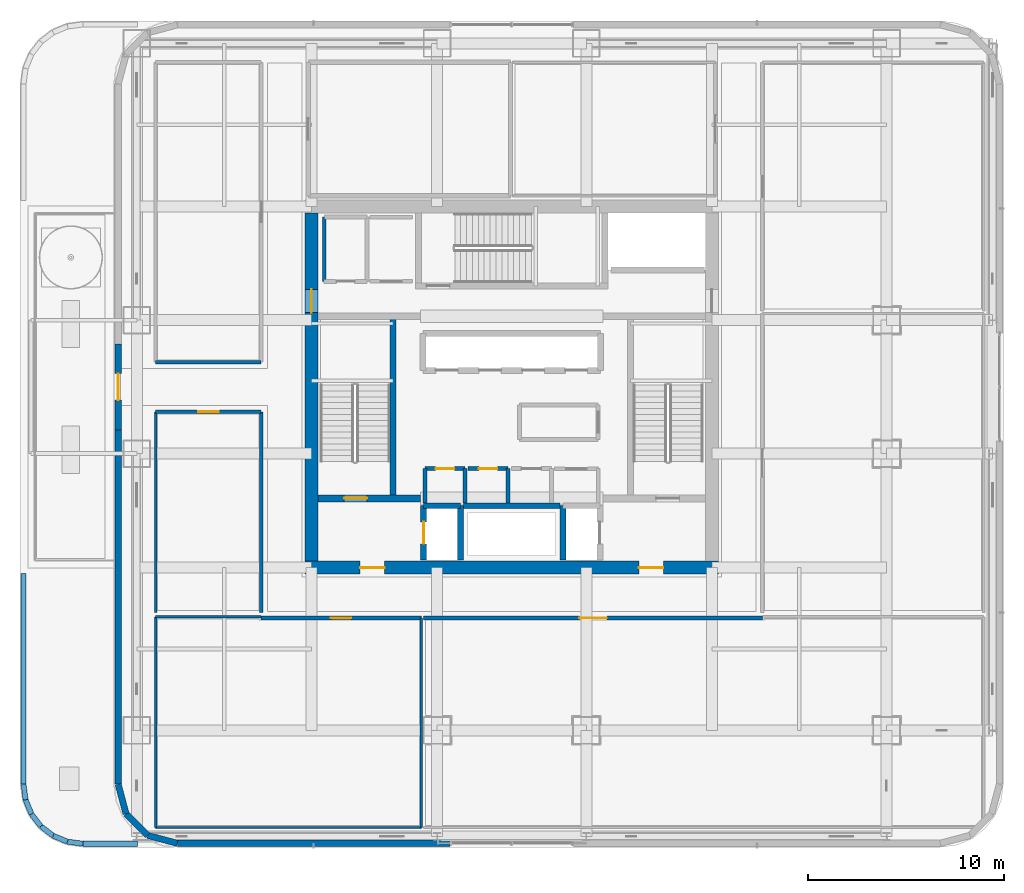
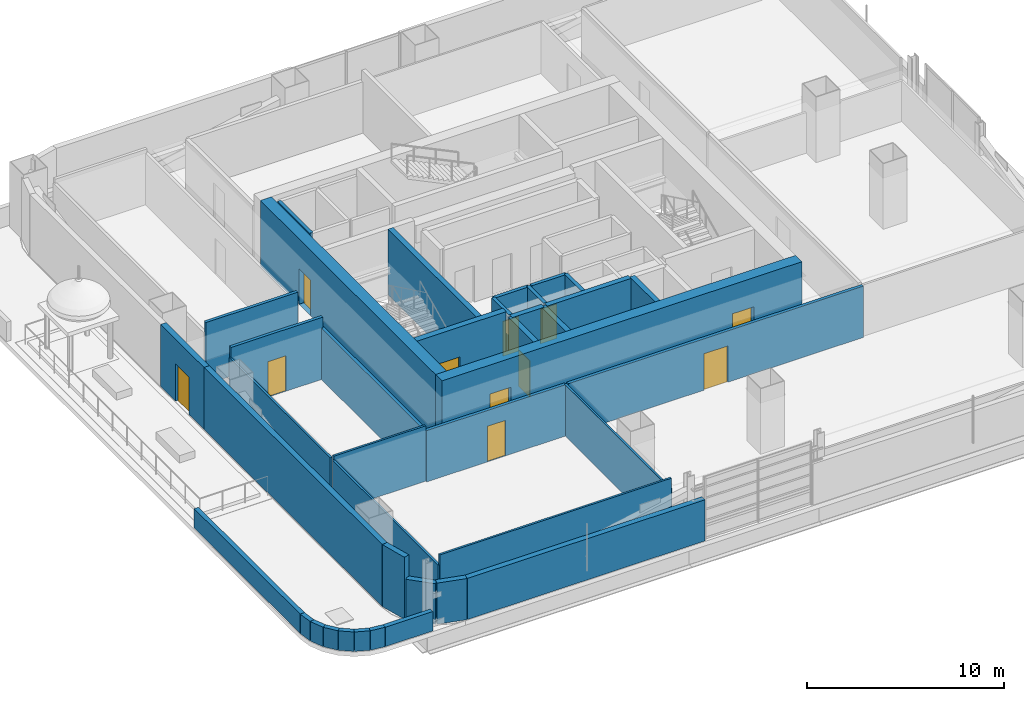
# One storey, part 11 of 27: 39 walls, 11 doors, 11 openings.
"""IFC4 building model written with IfcOpenShell, lengths in metres."""

from ifc_helpers import new_model, si_unit, direction, frame, frame_2d, origin, place, context, subcontext, project, spatial, rectangle, extrude, material, layer, layer_set, type_object, element, fill, save


model = new_model("IFC4")

# Units and contexts
model_context = context("Model", 3, precision=1e-05, world=origin(), true_north=direction((0.0, 1.0)))
body_context = subcontext(model_context, "Body", "Model", "MODEL_VIEW")
ifc_project = project(units=[si_unit("LENGTHUNIT", "METRE"), si_unit("AREAUNIT", "SQUARE_METRE"), si_unit("VOLUMEUNIT", "CUBIC_METRE"), si_unit("PLANEANGLEUNIT", "RADIAN"), si_unit("MASSUNIT", "GRAM", prefix="KILO")], contexts=[model_context])

# Site, building, storey
site_placement = place(None, origin())
site = spatial("IfcSite", under=ifc_project, at=site_placement, CompositionType="ELEMENT")
building_placement = place(site_placement, origin())
building = spatial("IfcBuilding", under=site, at=building_placement, Name="Punatoya Terracotta Tower", CompositionType="ELEMENT")
storey_placement = place(building_placement, frame((0.0, 0.0, 204.60009765625)))
storey = spatial("IfcBuildingStorey", under=building, at=storey_placement, Name="L48", CompositionType="ELEMENT", Elevation=204.60009765625)

# Wall, openings, doors
ifc_material_1 = material(Name="Concrete C60/75", Category="concrete")
ifc_layer_1 = layer(ifc_material_1, 0.64990234375)
ifc_layer_set_1 = layer_set([ifc_layer_1], Name="Concrete C60/75")
wall_type_1 = type_object("IfcWallType", Name="WL-COR-650", PredefinedType="SHEAR", material=ifc_layer_set_1)
wall_1_placement = place(storey_placement, frame((10.52490234375, -9.199951171875, 0.0), z_axis=(0.0, 0.0, 1.0), x_axis=(-1.0, 0.0, 0.0)))
wall_1 = element("IfcWall", 1, at=wall_1_placement, inside=storey, type_object=wall_type_1, Name="L48 Core Shear Wall S", PredefinedType="SHEAR", context=body_context, shape_type="SweptSolid", body=[
    extrude(rectangle(XDim=21.0498046875, YDim=0.64990234375, at=frame_2d((10.52490234375, 0.0))), origin(), (0.0, 0.0, 1.0), 4.0498046875),
])
opening_1_placement = place(wall_1_placement, frame((2.800048828125, 0.0, 0.0)))
opening_1 = element("IfcOpeningElement", 2, at=opening_1_placement, cuts=wall_1, Name="Opening FD-L1", PredefinedType="OPENING", context=body_context, shape_type="SweptSolid", body=[
    extrude(rectangle(XDim=1.25, YDim=2.25, at=frame_2d((0.625, 1.125))), frame((0.0, 0.3349609375, 0.0), z_axis=(0.0, -1.0, 0.0), x_axis=(1.0, 0.0, 0.0)), (0.0, 0.0, 1.0), 0.669921875),
])
opening_2_placement = place(wall_1_placement, frame((17.0, 0.0, 0.0)))
opening_2 = element("IfcOpeningElement", 3, at=opening_2_placement, cuts=wall_1, Name="Opening FD-L1", PredefinedType="OPENING", context=body_context, shape_type="SweptSolid", body=[
    extrude(rectangle(XDim=1.25, YDim=2.25, at=frame_2d((0.625, 1.125))), frame((0.0, 0.3349609375, 0.0), z_axis=(0.0, -1.0, 0.0), x_axis=(1.0, 0.0, 0.0)), (0.0, 0.0, 1.0), 0.669921875),
])
ifc_material_2 = material(Name="Galvanised Steel Smokeproof Fire Door", Category="steel")
door_type_1 = type_object("IfcDoorType", Name="DR-FFL-1250", OperationType="NOTDEFINED", PredefinedType="DOOR", material=ifc_material_2)
door_1_placement = place(opening_1_placement, origin())
door_1 = element("IfcDoor", 4, at=door_1_placement, inside=storey, type_object=door_type_1, Name="L48 East Firefighting Lobby Corridor Fire Door", OperationType="SINGLE_SWING_LEFT", OverallHeight=2.25, OverallWidth=1.25, PredefinedType="DOOR", context=body_context, shape_type="SweptSolid", body=[
    extrude(rectangle(XDim=1.25, YDim=2.25, at=frame_2d((0.625, 1.125))), frame((0.0, 0.02490234375, 0.0), z_axis=(0.0, -1.0, 0.0), x_axis=(1.0, 0.0, 0.0)), (0.0, 0.0, 1.0), 0.050048828125),
])
fill(opening_1, door_1)
door_2_placement = place(opening_2_placement, origin())
door_2 = element("IfcDoor", 5, at=door_2_placement, inside=storey, type_object=door_type_1, Name="L48 West Firefighting Lobby Corridor Fire Door", OperationType="SINGLE_SWING_RIGHT", OverallHeight=2.25, OverallWidth=1.25, PredefinedType="DOOR", context=body_context, shape_type="SweptSolid", body=[
    extrude(rectangle(XDim=1.25, YDim=2.25, at=frame_2d((0.625, 1.125))), frame((0.0, 0.02490234375, 0.0), z_axis=(0.0, -1.0, 0.0), x_axis=(1.0, 0.0, 0.0)), (0.0, 0.0, 1.0), 0.050048828125),
])
fill(opening_2, door_2)

# Wall, opening, door
wall_2_placement = place(storey_placement, frame((-10.199951171875, -8.875, 0.0), z_axis=(0.0, 0.0, 1.0), x_axis=(0.0, 1.0, 0.0)))
wall_2 = element("IfcWall", 6, at=wall_2_placement, inside=storey, type_object=wall_type_1, Name="L48 Core Shear Wall W", PredefinedType="SHEAR", context=body_context, shape_type="SweptSolid", body=[
    extrude(rectangle(XDim=17.75, YDim=0.64990234375, at=frame_2d((8.875, 0.0))), origin(), (0.0, 0.0, 1.0), 4.0498046875),
])
opening_3_placement = place(wall_2_placement, frame((12.6650390625, 0.0, 0.0)))
opening_3 = element("IfcOpeningElement", 7, at=opening_3_placement, cuts=wall_2, Name="Opening SD-01", PredefinedType="OPENING", context=body_context, shape_type="SweptSolid", body=[
    extrude(rectangle(XDim=1.179931640625, YDim=2.199951171875, at=frame_2d((0.58984375, 1.10009765625))), frame((0.0, 0.3349609375, 0.0), z_axis=(0.0, -1.0, 0.0), x_axis=(1.0, 0.0, 0.0)), (0.0, 0.0, 1.0), 0.669921875),
])
ifc_material_3 = material(Name="Galvanised Steel Pressurized Stair Fire Door", Category="steel")
door_type_2 = type_object("IfcDoorType", Name="DR-STR-1180", OperationType="NOTDEFINED", PredefinedType="DOOR", material=ifc_material_3)
door_3_placement = place(opening_3_placement, origin())
door_3 = element("IfcDoor", 8, at=door_3_placement, inside=storey, type_object=door_type_2, Name="L48 Central Lift Lobby West Fire Door", OperationType="SINGLE_SWING_LEFT", OverallHeight=2.199951171875, OverallWidth=1.179931640625, PredefinedType="DOOR", context=body_context, shape_type="SweptSolid", body=[
    extrude(rectangle(XDim=1.179931640625, YDim=2.199951171875, at=frame_2d((0.58984375, 1.10009765625))), frame((0.0, 0.02490234375, 0.0), z_axis=(0.0, -1.0, 0.0), x_axis=(1.0, 0.0, 0.0)), (0.0, 0.0, 1.0), 0.050048828125),
])
fill(opening_3, door_3)

ifc_material_4 = material(Name="Gypsum Fireboard + Steel Stud", Category="steel")
ifc_layer_2 = layer(ifc_material_4, 0.179931640625)
ifc_layer_set_2 = layer_set([ifc_layer_2], Name="Gypsum Fireboard + Steel Stud")
wall_type_2 = type_object("IfcWallType", Name="WL-CORR-180", PredefinedType="PARTITIONING", material=ifc_layer_set_2)
wall_3_placement = place(storey_placement, frame((-12.77001953125, -11.77001953125, 0.0), z_axis=(0.0, 0.0, 1.0), x_axis=(1.0, 0.0, 0.0)))
wall_3 = element("IfcWall", 9, at=wall_3_placement, inside=storey, type_object=wall_type_2, Name="L48 Client Media Salon Partition 22", PredefinedType="PARTITIONING", context=body_context, shape_type="SweptSolid", body=[
    extrude(rectangle(XDim=8.1650390625, YDim=0.179931640625, at=frame_2d((4.08251953125, 0.0))), origin(), (0.0, 0.0, 1.0), 3.173828125),
])
opening_4_placement = place(wall_3_placement, frame((3.5576171875, 0.0, 0.0)))
opening_4 = element("IfcOpeningElement", 10, at=opening_4_placement, cuts=wall_3, Name="Opening OD-01", PredefinedType="OPENING", context=body_context, shape_type="SweptSolid", body=[
    extrude(rectangle(XDim=1.050048828125, YDim=2.199951171875, at=frame_2d((0.52490234375, 1.10009765625))), frame((0.0, 0.099853515625, 0.0), z_axis=(0.0, -1.0, 0.0), x_axis=(1.0, 0.0, 0.0)), (0.0, 0.0, 1.0), 0.199951171875),
])
ifc_material_5 = material(Name="Bengal Teak Solid-Core Leaf")
door_type_3 = type_object("IfcDoorType", Name="DR-OFF-1050", OperationType="NOTDEFINED", PredefinedType="DOOR", material=ifc_material_5)
door_4_placement = place(opening_4_placement, origin())
door_4 = element("IfcDoor", 11, at=door_4_placement, inside=storey, type_object=door_type_3, Name="L48 Client Media Salon Door", OperationType="SINGLE_SWING_LEFT", OverallHeight=2.199951171875, OverallWidth=1.050048828125, PredefinedType="DOOR", context=body_context, shape_type="SweptSolid", body=[
    extrude(rectangle(XDim=1.050048828125, YDim=2.199951171875, at=frame_2d((0.52490234375, 1.10009765625))), frame((0.0, 0.02490234375, 0.0), z_axis=(0.0, -1.0, 0.0), x_axis=(1.0, 0.0, 0.0)), (0.0, 0.0, 1.0), 0.050048828125),
])
fill(opening_4, door_4)

wall_4_placement = place(storey_placement, frame((-4.485107421875, -11.77001953125, 0.0), z_axis=(0.0, 0.0, 1.0), x_axis=(1.0, 0.0, 0.0)))
wall_4 = element("IfcWall", 12, at=wall_4_placement, inside=storey, type_object=wall_type_2, Name="L48 Media Broadcast Studio Partition 25", PredefinedType="PARTITIONING", context=body_context, shape_type="SweptSolid", body=[
    extrude(rectangle(XDim=17.255126953125, YDim=0.179931640625, at=frame_2d((8.62744140625, 0.0))), origin(), (0.0, 0.0, 1.0), 3.173828125),
])
opening_5_placement = place(wall_4_placement, frame((7.927490234375, 0.0, 0.0)))
opening_5 = element("IfcOpeningElement", 13, at=opening_5_placement, cuts=wall_4, Name="Opening BD-01", PredefinedType="OPENING", context=body_context, shape_type="SweptSolid", body=[
    extrude(rectangle(XDim=1.39990234375, YDim=2.25, at=frame_2d((0.699951171875, 1.125))), frame((0.0, 0.099853515625, 0.0), z_axis=(0.0, -1.0, 0.0), x_axis=(1.0, 0.0, 0.0)), (0.0, 0.0, 1.0), 0.199951171875),
])
ifc_material_6 = material(Name="Bengal Teak Acoustic Leaf")
door_type_4 = type_object("IfcDoorType", Name="DR-BRD-1400", OperationType="NOTDEFINED", PredefinedType="DOOR", material=ifc_material_6)
door_5_placement = place(opening_5_placement, origin())
door_5 = element("IfcDoor", 14, at=door_5_placement, inside=storey, type_object=door_type_4, Name="L48 Media Broadcast Studio Door", OperationType="SINGLE_SWING_RIGHT", OverallHeight=2.25, OverallWidth=1.39990234375, PredefinedType="DOOR", context=body_context, shape_type="SweptSolid", body=[
    extrude(rectangle(XDim=1.39990234375, YDim=2.25, at=frame_2d((0.699951171875, 1.125))), frame((0.0, 0.02490234375, 0.0), z_axis=(0.0, -1.0, 0.0), x_axis=(1.0, 0.0, 0.0)), (0.0, 0.0, 1.0), 0.050048828125),
])
fill(opening_5, door_5)

wall_5_placement = place(storey_placement, frame((-18.139892578125, -1.27001953125, 0.0), z_axis=(0.0, 0.0, 1.0), x_axis=(1.0, 0.0, 0.0)))
wall_5 = element("IfcWall", 15, at=wall_5_placement, inside=storey, type_object=wall_type_2, Name="L48 Graphic Design Workplace Partition 29", PredefinedType="PARTITIONING", context=body_context, shape_type="SweptSolid", body=[
    extrude(rectangle(XDim=5.369873046875, YDim=0.179931640625, at=frame_2d((2.68505859375, 0.0))), origin(), (0.0, 0.0, 1.0), 3.829833984375),
])
opening_6_placement = place(wall_5_placement, frame((2.159912109375, 0.0, 0.0)))
opening_6 = element("IfcOpeningElement", 16, at=opening_6_placement, cuts=wall_5, Name="Opening OD-01", PredefinedType="OPENING", context=body_context, shape_type="SweptSolid", body=[
    extrude(rectangle(XDim=1.050048828125, YDim=2.199951171875, at=frame_2d((0.52490234375, 1.10009765625))), frame((0.0, 0.099853515625, 0.0), z_axis=(0.0, -1.0, 0.0), x_axis=(1.0, 0.0, 0.0)), (0.0, 0.0, 1.0), 0.199951171875),
])
door_6_placement = place(opening_6_placement, origin())
door_6 = element("IfcDoor", 17, at=door_6_placement, inside=storey, type_object=door_type_3, Name="L48 Graphic Design Workplace Door", OperationType="SINGLE_SWING_LEFT", OverallHeight=2.199951171875, OverallWidth=1.050048828125, PredefinedType="DOOR", context=body_context, shape_type="SweptSolid", body=[
    extrude(rectangle(XDim=1.050048828125, YDim=2.199951171875, at=frame_2d((0.52490234375, 1.10009765625))), frame((0.0, 0.02490234375, 0.0), z_axis=(0.0, -1.0, 0.0), x_axis=(1.0, 0.0, 0.0)), (0.0, 0.0, 1.0), 0.050048828125),
])
fill(opening_6, door_6)

# Walls
wall_6_placement = place(storey_placement, frame((-12.77001953125, -1.27001953125, 0.0), z_axis=(0.0, 0.0, 1.0), x_axis=(0.0, -1.0, 0.0)))
element("IfcWall", 18, at=wall_6_placement, inside=storey, type_object=wall_type_2, Name="L48 Graphic Design Workplace Partition 30", PredefinedType="PARTITIONING", context=body_context, shape_type="SweptSolid", body=[
    extrude(rectangle(XDim=10.219970703125, YDim=0.179931640625, at=frame_2d((5.10986328125, 0.0))), origin(), (0.0, 0.0, 1.0), 3.173828125),
])
wall_7_placement = place(storey_placement, frame((-12.77001953125, 1.27001953125, 0.0), z_axis=(0.0, 0.0, 1.0), x_axis=(-1.0, 0.0, 0.0)))
element("IfcWall", 19, at=wall_7_placement, inside=storey, type_object=wall_type_2, Name="L48 Hospitality Tea Pantry Partition 36", PredefinedType="PARTITIONING", context=body_context, shape_type="SweptSolid", body=[
    extrude(rectangle(XDim=5.369873046875, YDim=0.179931640625, at=frame_2d((2.68505859375, 0.0))), origin(), (0.0, 0.0, 1.0), 3.829833984375),
])
ifc_material_7 = material(Name="Precast concrete C40/50", Category="concrete")
ifc_layer_3 = layer(ifc_material_7, 0.320068359375)
ifc_layer_set_3 = layer_set([ifc_layer_3], Name="Precast concrete C40/50")
wall_type_3 = type_object("IfcWallType", Name="WL-EXT-320", PredefinedType="SOLIDWALL", material=ifc_layer_set_3)
wall_8_placement = place(storey_placement, frame((-17.036865234375, -23.25, 0.0), z_axis=(0.0, 0.0, 1.0), x_axis=(1.0, 0.0, 0.0)))
element("IfcWall", 20, at=wall_8_placement, inside=storey, type_object=wall_type_3, Name="L48 Terracotta Braced Facade Wall S1", PredefinedType="SOLIDWALL", context=body_context, shape_type="SweptSolid", body=[
    extrude(rectangle(XDim=13.886962890625, YDim=0.320068359375, at=frame_2d((6.943359375, 0.0))), origin(), (0.0, 0.0, 1.0), 2.5439453125),
])
wall_9_placement = place(storey_placement, frame((-20.050048828125, -2.199951171875, 0.0), z_axis=(0.0, 0.0, 1.0), x_axis=(0.0, -1.0, 0.0)))
element("IfcWall", 21, at=wall_9_placement, inside=storey, type_object=wall_type_3, Name="L48 Terracotta Braced Facade Wall W", PredefinedType="SOLIDWALL", context=body_context, shape_type="SweptSolid", body=[
    extrude(rectangle(XDim=18.036865234375, YDim=0.320068359375, at=frame_2d((9.0185546875, 0.0))), origin(), (0.0, 0.0, 1.0), 3.829833984375),
])

# Wall, opening, door
wall_10_placement = place(storey_placement, frame((-20.050048828125, 2.199951171875, 0.0), z_axis=(0.0, 0.0, 1.0), x_axis=(0.0, -1.0, 0.0)))
wall_10 = element("IfcWall", 22, at=wall_10_placement, inside=storey, type_object=wall_type_3, Name="L48 Sky-Terrace Portal Wall W", PredefinedType="SOLIDWALL", context=body_context, shape_type="SweptSolid", body=[
    extrude(rectangle(XDim=4.39990234375, YDim=0.320068359375, at=frame_2d((2.199951171875, 0.0))), origin(), (0.0, 0.0, 1.0), 3.829833984375),
])
opening_7_placement = place(wall_10_placement, frame((1.52490234375, 0.0, 0.0)))
opening_7 = element("IfcOpeningElement", 23, at=opening_7_placement, cuts=wall_10, Name="Opening TD-02", PredefinedType="OPENING", context=body_context, shape_type="SweptSolid", body=[
    extrude(rectangle(XDim=1.35009765625, YDim=2.300048828125, at=frame_2d((0.675048828125, 1.14990234375))), frame((0.0, 0.169921875, 0.0), z_axis=(0.0, -1.0, 0.0), x_axis=(1.0, 0.0, 0.0)), (0.0, 0.0, 1.0), 0.340087890625),
])
ifc_material_8 = material(Name="Aluminium 6063-T6 + Low-E Glass", Category="aluminium")
door_type_5 = type_object("IfcDoorType", Name="DR-TER-1350", OperationType="NOTDEFINED", PredefinedType="DOOR", material=ifc_material_8)
door_7_placement = place(opening_7_placement, origin())
door_7 = element("IfcDoor", 24, at=door_7_placement, inside=storey, type_object=door_type_5, Name="L48 Sky-Terrace Access Door W1", OperationType="SINGLE_SWING_RIGHT", OverallHeight=2.300048828125, OverallWidth=1.35009765625, PredefinedType="DOOR", context=body_context, shape_type="SweptSolid", body=[
    extrude(rectangle(XDim=1.35009765625, YDim=2.300048828125, at=frame_2d((0.675048828125, 1.14990234375))), frame((0.0, 0.02490234375, 0.0), z_axis=(0.0, -1.0, 0.0), x_axis=(1.0, 0.0, 0.0)), (0.0, 0.0, 1.0), 0.050048828125),
])
fill(opening_7, door_7)

# Walls
wall_11_placement = place(storey_placement, frame((-20.050048828125, -20.23681640625, 0.0), z_axis=(0.0, 0.0, 1.0), x_axis=(0.257847112249, -0.966185730957, 0.0)))
element("IfcWall", 25, at=wall_11_placement, inside=storey, type_object=wall_type_3, Name="L48 Rounded Terracotta Corner Pier 14", PredefinedType="SOLIDWALL", context=body_context, shape_type="SweptSolid", body=[
    extrude(rectangle(XDim=1.565185546875, YDim=0.320068359375, at=frame_2d((0.78271484375, 0.0))), origin(), (0.0, 0.0, 1.0), 3.829833984375),
])
wall_12_placement = place(storey_placement, frame((-19.646484375, -21.7490234375, 0.0), z_axis=(0.0, 0.0, 1.0), x_axis=(0.707028130747, -0.707185422879, 0.0)))
element("IfcWall", 26, at=wall_12_placement, inside=storey, type_object=wall_type_3, Name="L48 Rounded Terracotta Corner Pier 15", PredefinedType="SOLIDWALL", context=body_context, shape_type="SweptSolid", body=[
    extrude(rectangle(XDim=1.55224609375, YDim=0.320068359375, at=frame_2d((0.776123046875, 0.0))), origin(), (0.0, 0.0, 1.0), 2.50390625),
])
wall_13_placement = place(storey_placement, frame((-18.549072265625, -22.8466796875, 0.0), z_axis=(0.0, 0.0, 1.0), x_axis=(0.966224582397, -0.257701486942, 0.0)))
element("IfcWall", 27, at=wall_13_placement, inside=storey, type_object=wall_type_3, Name="L48 Rounded Terracotta Corner Pier 16", PredefinedType="SOLIDWALL", context=body_context, shape_type="SweptSolid", body=[
    extrude(rectangle(XDim=1.565185546875, YDim=0.320068359375, at=frame_2d((0.78271484375, 0.0))), origin(), (0.0, 0.0, 1.0), 2.5439453125),
])
ifc_material_9 = material(Name="Concrete C40/50", Category="concrete")
ifc_layer_4 = layer(ifc_material_9, 0.199951171875)
ifc_layer_set_4 = layer_set([ifc_layer_4], Name="Concrete C40/50")
wall_type_4 = type_object("IfcWallType", Name="WL-INT-200", PredefinedType="SOLIDWALL", material=ifc_layer_set_4)
wall_14_placement = place(storey_placement, frame((-2.3798828125, -5.89990234375, 0.0), z_axis=(0.0, 0.0, 1.0), x_axis=(0.0, 1.0, 0.0)))
element("IfcWall", 28, at=wall_14_placement, inside=storey, type_object=wall_type_4, Name="L48 Male Washroom Partition 01", PredefinedType="SOLIDWALL", context=body_context, shape_type="SweptSolid", body=[
    extrude(rectangle(XDim=1.739990234375, YDim=0.199951171875, at=frame_2d((0.8701171875, 0.0))), origin(), (0.0, 0.0, 1.0), 3.829833984375),
])

# Wall, opening, door
wall_15_placement = place(storey_placement, frame((-2.3798828125, -4.159912109375, 0.0), z_axis=(0.0, 0.0, 1.0), x_axis=(-1.0, 0.0, 0.0)))
wall_15 = element("IfcWall", 29, at=wall_15_placement, inside=storey, type_object=wall_type_4, Name="L48 Male Washroom Partition 02", PredefinedType="SOLIDWALL", context=body_context, shape_type="SweptSolid", body=[
    extrude(rectangle(XDim=2.0400390625, YDim=0.199951171875, at=frame_2d((1.02001953125, 0.0))), origin(), (0.0, 0.0, 1.0), 3.829833984375),
])
opening_8_placement = place(wall_15_placement, frame((0.544921875, 0.0, 0.0)))
opening_8 = element("IfcOpeningElement", 30, at=opening_8_placement, cuts=wall_15, Name="Opening WD-01", PredefinedType="OPENING", context=body_context, shape_type="SweptSolid", body=[
    extrude(rectangle(XDim=0.949951171875, YDim=2.14990234375, at=frame_2d((0.47509765625, 1.074951171875))), frame((0.0, 0.10986328125, 0.0), z_axis=(0.0, -1.0, 0.0), x_axis=(1.0, 0.0, 0.0)), (0.0, 0.0, 1.0), 0.219970703125),
])
ifc_material_10 = material(Name="Moisture-Resistant Laminate Timber Leaf", Category="wood")
door_type_6 = type_object("IfcDoorType", Name="DR-WC-950", OperationType="NOTDEFINED", PredefinedType="DOOR", material=ifc_material_10)
door_8_placement = place(opening_8_placement, origin())
door_8 = element("IfcDoor", 31, at=door_8_placement, inside=storey, type_object=door_type_6, Name="L48 Male Washroom Door", OperationType="SINGLE_SWING_RIGHT", OverallHeight=2.14990234375, OverallWidth=0.949951171875, PredefinedType="DOOR", context=body_context, shape_type="SweptSolid", body=[
    extrude(rectangle(XDim=0.949951171875, YDim=2.14990234375, at=frame_2d((0.47509765625, 1.074951171875))), frame((0.0, 0.02490234375, 0.0), z_axis=(0.0, -1.0, 0.0), x_axis=(1.0, 0.0, 0.0)), (0.0, 0.0, 1.0), 0.050048828125),
])
fill(opening_8, door_8)

# Walls
for number, where, z_axis, x_axis, name in (
    (32, (-4.419921875, -4.159912109375, 0.0), (0.0, 0.0, 1.0), (0.0, -1.0, 0.0), "L48 Male Washroom Partition 03"),
    (33, (-0.179931640625, -5.89990234375, 0.0), (0.0, 0.0, 1.0), (0.0, 1.0, 0.0), "L48 Female Washroom Partition 04"),
):
    element("IfcWall", number, at=place(storey_placement, frame(where, z_axis=z_axis, x_axis=x_axis)), inside=storey, type_object=wall_type_4, Name=name, PredefinedType="SOLIDWALL", context=body_context, shape_type="SweptSolid", body=[
        extrude(rectangle(XDim=1.739990234375, YDim=0.199951171875, at=frame_2d((0.8701171875, 0.0))), origin(), (0.0, 0.0, 1.0), 3.829833984375),
    ])

# Wall, opening, door
wall_16_placement = place(storey_placement, frame((-0.179931640625, -4.159912109375, 0.0), z_axis=(0.0, 0.0, 1.0), x_axis=(-1.0, 0.0, 0.0)))
wall_16 = element("IfcWall", 34, at=wall_16_placement, inside=storey, type_object=wall_type_4, Name="L48 Female Washroom Partition 05", PredefinedType="SOLIDWALL", context=body_context, shape_type="SweptSolid", body=[
    extrude(rectangle(XDim=2.0400390625, YDim=0.199951171875, at=frame_2d((1.02001953125, 0.0))), origin(), (0.0, 0.0, 1.0), 3.829833984375),
])
opening_9_placement = place(wall_16_placement, frame((0.544921875, 0.0, 0.0)))
opening_9 = element("IfcOpeningElement", 35, at=opening_9_placement, cuts=wall_16, Name="Opening WD-01", PredefinedType="OPENING", context=body_context, shape_type="SweptSolid", body=[
    extrude(rectangle(XDim=0.949951171875, YDim=2.14990234375, at=frame_2d((0.47509765625, 1.074951171875))), frame((0.0, 0.10986328125, 0.0), z_axis=(0.0, -1.0, 0.0), x_axis=(1.0, 0.0, 0.0)), (0.0, 0.0, 1.0), 0.219970703125),
])
door_9_placement = place(opening_9_placement, origin())
door_9 = element("IfcDoor", 36, at=door_9_placement, inside=storey, type_object=door_type_6, Name="L48 Female Washroom Door", OperationType="SINGLE_SWING_LEFT", OverallHeight=2.14990234375, OverallWidth=0.949951171875, PredefinedType="DOOR", context=body_context, shape_type="SweptSolid", body=[
    extrude(rectangle(XDim=0.949951171875, YDim=2.14990234375, at=frame_2d((0.47509765625, 1.074951171875))), frame((0.0, 0.02490234375, 0.0), z_axis=(0.0, -1.0, 0.0), x_axis=(1.0, 0.0, 0.0)), (0.0, 0.0, 1.0), 0.050048828125),
])
fill(opening_9, door_9)

# Walls
wall_17_placement = place(storey_placement, frame((-9.550048828125, 8.64990234375, 0.0), z_axis=(0.0, 0.0, 1.0), x_axis=(0.0, -1.0, 0.0)))
element("IfcWall", 37, at=wall_17_placement, inside=storey, type_object=wall_type_4, Name="L48 West Core Archive Vault Partition 16", PredefinedType="SOLIDWALL", context=body_context, shape_type="SweptSolid", body=[
    extrude(rectangle(XDim=3.27001953125, YDim=0.199951171875, at=frame_2d((1.635009765625, 0.0))), origin(), (0.0, 0.0, 1.0), 3.829833984375),
])
ifc_material_11 = material(Name="Gypsum Partition + Steel Stud", Category="steel")
ifc_layer_5 = layer(ifc_material_11, 0.1201171875)
ifc_layer_set_5 = layer_set([ifc_layer_5], Name="Gypsum Partition + Steel Stud")
wall_type_5 = type_object("IfcWallType", Name="WL-OFF-120", PredefinedType="PARTITIONING", material=ifc_layer_set_5)
wall_18_placement = place(storey_placement, frame((-18.139892578125, -22.43994140625, 0.0), z_axis=(0.0, 0.0, 1.0), x_axis=(0.0, 1.0, 0.0)))
element("IfcWall", 38, at=wall_18_placement, inside=storey, type_object=wall_type_5, Name="L48 Client Media Salon Partition 20", PredefinedType="PARTITIONING", context=body_context, shape_type="SweptSolid", body=[
    extrude(rectangle(XDim=10.72998046875, YDim=0.1201171875, at=frame_2d((5.364990234375, 0.0))), origin(), (0.0, 0.0, 1.0), 3.173828125),
])
wall_19_placement = place(storey_placement, frame((-18.139892578125, -11.7099609375, 0.0), z_axis=(0.0, 0.0, 1.0), x_axis=(1.0, 0.0, 0.0)))
element("IfcWall", 39, at=wall_19_placement, inside=storey, type_object=wall_type_5, Name="L48 Client Media Salon Partition 21", PredefinedType="PARTITIONING", context=body_context, shape_type="SweptSolid", body=[
    extrude(rectangle(XDim=5.369873046875, YDim=0.1201171875, at=frame_2d((2.68505859375, 0.0))), origin(), (0.0, 0.0, 1.0), 3.423828125),
])
wall_20_placement = place(storey_placement, frame((-4.60498046875, -11.77001953125, 0.0), z_axis=(0.0, 0.0, 1.0), x_axis=(0.0, -1.0, 0.0)))
element("IfcWall", 40, at=wall_20_placement, inside=storey, type_object=wall_type_5, Name="L48 Client Media Salon Partition 23", PredefinedType="PARTITIONING", context=body_context, shape_type="SweptSolid", body=[
    extrude(rectangle(XDim=10.669921875, YDim=0.1201171875, at=frame_2d((5.3349609375, 0.0))), origin(), (0.0, 0.0, 1.0), 3.173828125),
])
wall_21_placement = place(storey_placement, frame((-4.60498046875, -22.43994140625, 0.0), z_axis=(0.0, 0.0, 1.0), x_axis=(-1.0, 0.0, 0.0)))
element("IfcWall", 41, at=wall_21_placement, inside=storey, type_object=wall_type_5, Name="L48 Client Media Salon Partition 24", PredefinedType="PARTITIONING", context=body_context, shape_type="SweptSolid", body=[
    extrude(rectangle(XDim=13.534912109375, YDim=0.1201171875, at=frame_2d((6.767578125, 0.0))), origin(), (0.0, 0.0, 1.0), 3.829833984375),
])
wall_22_placement = place(storey_placement, frame((-18.139892578125, -11.489990234375, 0.0), z_axis=(0.0, 0.0, 1.0), x_axis=(0.0, 1.0, 0.0)))
element("IfcWall", 42, at=wall_22_placement, inside=storey, type_object=wall_type_5, Name="L48 Graphic Design Workplace Partition 31", PredefinedType="PARTITIONING", context=body_context, shape_type="SweptSolid", body=[
    extrude(rectangle(XDim=10.219970703125, YDim=0.1201171875, at=frame_2d((5.10986328125, 0.0))), origin(), (0.0, 0.0, 1.0), 3.173828125),
])
ifc_layer_6 = layer(ifc_material_7, 0.260009765625)
ifc_layer_set_6 = layer_set([ifc_layer_6], Name="Precast concrete C40/50")
wall_type_6 = type_object("IfcWallType", Name="WL-PAR-260", PredefinedType="PARAPET", material=ifc_layer_set_6)
wall_23_placement = place(storey_placement, frame((-24.8701171875, -9.5, 0.0), z_axis=(0.0, 0.0, 1.0), x_axis=(0.0, -1.0, 0.0)))
element("IfcWall", 43, at=wall_23_placement, inside=storey, type_object=wall_type_6, Name="L48 Roof Parapet Wall PAR-L48-RF-09", PredefinedType="PARAPET", context=body_context, shape_type="SweptSolid", body=[
    extrude(rectangle(XDim=10.73828125, YDim=0.260009765625, at=frame_2d((5.369140625, 0.0))), origin(), (0.0, 0.0, 1.0), 1.199951171875),
])
wall_24_placement = place(storey_placement, frame((-24.8701171875, -20.23828125, 0.0), z_axis=(0.0, 0.0, 1.0), x_axis=(0.130644014367, -0.991429342672, 0.0)))
element("IfcWall", 44, at=wall_24_placement, inside=storey, type_object=wall_type_6, Name="L48 Roof Parapet Wall PAR-L48-RF-10", PredefinedType="PARAPET", context=body_context, shape_type="SweptSolid", body=[
    extrude(rectangle(XDim=0.7998046875, YDim=0.260009765625, at=frame_2d((0.39990234375, 0.0))), origin(), (0.0, 0.0, 1.0), 1.199951171875),
])
wall_25_placement = place(storey_placement, frame((-24.765625, -21.03125, 0.0), z_axis=(0.0, 0.0, 1.0), x_axis=(0.38263454961, -0.923899778896, 0.0)))
element("IfcWall", 45, at=wall_25_placement, inside=storey, type_object=wall_type_6, Name="L48 Roof Parapet Wall PAR-L48-RF-11", PredefinedType="PARAPET", context=body_context, shape_type="SweptSolid", body=[
    extrude(rectangle(XDim=0.7880859375, YDim=0.260009765625, at=frame_2d((0.39404296875, 0.0))), origin(), (0.0, 0.0, 1.0), 1.199951171875),
])
wall_26_placement = place(storey_placement, frame((-24.464111328125, -21.75927734375, 0.0), z_axis=(0.0, 0.0, 1.0), x_axis=(0.608886809997, -0.793257116332, 0.0)))
element("IfcWall", 46, at=wall_26_placement, inside=storey, type_object=wall_type_6, Name="L48 Roof Parapet Wall PAR-L48-RF-12", PredefinedType="PARAPET", context=body_context, shape_type="SweptSolid", body=[
    extrude(rectangle(XDim=0.787841796875, YDim=0.260009765625, at=frame_2d((0.39404296875, 0.0))), origin(), (0.0, 0.0, 1.0), 1.199951171875),
])
for number, where, z_axis, x_axis, name in (
    (47, (-23.984375, -22.38427734375, 0.0), (0.0, 0.0, 1.0), (0.793371954706, -0.608737169464, 0.0), "L48 Roof Parapet Wall PAR-L48-RF-13"),
    (48, (-23.359130859375, -22.864013671875, 0.0), (0.0, 0.0, 1.0), (0.923899778896, -0.38263454961, 0.0), "L48 Roof Parapet Wall PAR-L48-RF-14"),
):
    element("IfcWall", number, at=place(storey_placement, frame(where, z_axis=z_axis, x_axis=x_axis)), inside=storey, type_object=wall_type_6, Name=name, PredefinedType="PARAPET", context=body_context, shape_type="SweptSolid", body=[
        extrude(rectangle(XDim=0.7880859375, YDim=0.260009765625, at=frame_2d((0.39404296875, 0.0))), origin(), (0.0, 0.0, 1.0), 1.199951171875),
    ])
wall_27_placement = place(storey_placement, frame((-22.631103515625, -23.16552734375, 0.0), z_axis=(0.0, 0.0, 1.0), x_axis=(0.991429342672, -0.130644014367, 0.0)))
element("IfcWall", 49, at=wall_27_placement, inside=storey, type_object=wall_type_6, Name="L48 Roof Parapet Wall PAR-L48-RF-15", PredefinedType="PARAPET", context=body_context, shape_type="SweptSolid", body=[
    extrude(rectangle(XDim=0.7998046875, YDim=0.260009765625, at=frame_2d((0.39990234375, 0.0))), origin(), (0.0, 0.0, 1.0), 1.199951171875),
])
wall_28_placement = place(storey_placement, frame((-21.838134765625, -23.27001953125, 0.0), z_axis=(0.0, 0.0, 1.0), x_axis=(1.0, 0.0, 0.0)))
element("IfcWall", 50, at=wall_28_placement, inside=storey, type_object=wall_type_6, Name="L48 Roof Parapet Wall PAR-L48-RF-16", PredefinedType="PARAPET", context=body_context, shape_type="SweptSolid", body=[
    extrude(rectangle(XDim=2.77294921875, YDim=0.260009765625, at=frame_2d((1.386474609375, 0.0))), origin(), (0.0, 0.0, 1.0), 1.199951171875),
])
ifc_layer_7 = layer(ifc_material_9, 0.300048828125)
ifc_layer_set_7 = layer_set([ifc_layer_7], Name="Concrete C40/50")
wall_type_7 = type_object("IfcWallType", Name="WL-SHF-300", PredefinedType="SOLIDWALL", material=ifc_layer_set_7)
wall_29_placement = place(storey_placement, frame((-6.050048828125, -5.5, 0.0), z_axis=(0.0, 0.0, 1.0), x_axis=(0.0, 1.0, 0.0)))
element("IfcWall", 51, at=wall_29_placement, inside=storey, type_object=wall_type_7, Name="L48 Structural Stair Shaft Wall SW-ST1-E", PredefinedType="SOLIDWALL", context=body_context, shape_type="SweptSolid", body=[
    extrude(rectangle(XDim=8.949951171875, YDim=0.300048828125, at=frame_2d((4.47509765625, 0.0))), origin(), (0.0, 0.0, 1.0), 4.0498046875),
])

# Wall, opening, door
wall_30_placement = place(storey_placement, frame((-4.489990234375, -8.820068359375, 0.0), z_axis=(0.0, 0.0, 1.0), x_axis=(0.0, 1.0, 0.0)))
wall_30 = element("IfcWall", 52, at=wall_30_placement, inside=storey, type_object=wall_type_7, Name="L48 FFL-1 Front Hoistway Wall", PredefinedType="SOLIDWALL", context=body_context, shape_type="SweptSolid", body=[
    extrude(rectangle(XDim=2.77001953125, YDim=0.300048828125, at=frame_2d((1.385009765625, 0.0))), origin(), (0.0, 0.0, 1.0), 3.829833984375),
])
opening_10_placement = place(wall_30_placement, frame((0.824951171875, 0.0, 0.0)))
opening_10 = element("IfcOpeningElement", 53, at=opening_10_placement, cuts=wall_30, Name="Opening LD-02", PredefinedType="OPENING", context=body_context, shape_type="SweptSolid", body=[
    extrude(rectangle(XDim=1.1201171875, YDim=2.25, at=frame_2d((0.56005859375, 1.125))), frame((0.0, 0.159912109375, 0.0), z_axis=(0.0, -1.0, 0.0), x_axis=(1.0, 0.0, 0.0)), (0.0, 0.0, 1.0), 0.320068359375),
])
ifc_material_12 = material(Name="Stainless Steel Lift Landing Door", Category="steel")
door_type_7 = type_object("IfcDoorType", Name="DR-LND-1120", OperationType="NOTDEFINED", PredefinedType="DOOR", material=ifc_material_12)
door_10_placement = place(opening_10_placement, origin())
door_10 = element("IfcDoor", 54, at=door_10_placement, inside=storey, type_object=door_type_7, Name="L48 Firefighting Lift FFL-1 Sliding Landing Door", OperationType="SLIDING_TO_LEFT", OverallHeight=2.25, OverallWidth=1.1201171875, PredefinedType="DOOR", context=body_context, shape_type="SweptSolid", body=[
    extrude(rectangle(XDim=1.1201171875, YDim=2.25, at=frame_2d((0.56005859375, 1.125))), frame((0.0, 0.02490234375, 0.0), z_axis=(0.0, -1.0, 0.0), x_axis=(1.0, 0.0, 0.0)), (0.0, 0.0, 1.0), 0.050048828125),
])
fill(opening_10, door_10)

# Walls
wall_31_placement = place(storey_placement, frame((-2.610107421875, -8.820068359375, 0.0), z_axis=(0.0, 0.0, 1.0), x_axis=(0.0, 1.0, 0.0)))
element("IfcWall", 55, at=wall_31_placement, inside=storey, type_object=wall_type_7, Name="L48 FFL-1 Rear Hoistway Wall", PredefinedType="SOLIDWALL", context=body_context, shape_type="SweptSolid", body=[
    extrude(rectangle(XDim=2.77001953125, YDim=0.300048828125, at=frame_2d((1.385009765625, 0.0))), origin(), (0.0, 0.0, 1.0), 3.829833984375),
])
wall_32_placement = place(storey_placement, frame((-4.489990234375, -6.050048828125, 0.0), z_axis=(0.0, 0.0, 1.0), x_axis=(1.0, 0.0, 0.0)))
element("IfcWall", 56, at=wall_32_placement, inside=storey, type_object=wall_type_7, Name="L48 FFL-1 North Hoistway Wall", PredefinedType="SOLIDWALL", context=body_context, shape_type="SweptSolid", body=[
    extrude(rectangle(XDim=1.8798828125, YDim=0.300048828125, at=frame_2d((0.93994140625, 0.0))), origin(), (0.0, 0.0, 1.0), 3.829833984375),
])
wall_33_placement = place(storey_placement, frame((2.610107421875, -8.820068359375, 0.0), z_axis=(0.0, 0.0, 1.0), x_axis=(0.0, 1.0, 0.0)))
element("IfcWall", 57, at=wall_33_placement, inside=storey, type_object=wall_type_7, Name="L48 FFL-2 Rear Hoistway Wall", PredefinedType="SOLIDWALL", context=body_context, shape_type="SweptSolid", body=[
    extrude(rectangle(XDim=2.77001953125, YDim=0.300048828125, at=frame_2d((1.385009765625, 0.0))), origin(), (0.0, 0.0, 1.0), 3.829833984375),
])
wall_34_placement = place(storey_placement, frame((-2.449951171875, -6.050048828125, 0.0), z_axis=(0.0, 0.0, 1.0), x_axis=(1.0, 0.0, 0.0)))
element("IfcWall", 58, at=wall_34_placement, inside=storey, type_object=wall_type_7, Name="L48 Observation Shuttle Rear Hoistway Wall", PredefinedType="SOLIDWALL", context=body_context, shape_type="SweptSolid", body=[
    extrude(rectangle(XDim=4.89990234375, YDim=0.300048828125, at=frame_2d((2.449951171875, 0.0))), origin(), (0.0, 0.0, 1.0), 3.829833984375),
])

# Wall, opening, door
ifc_material_13 = material(Name="Concrete C50/60", Category="concrete")
ifc_layer_8 = layer(ifc_material_13, 0.35009765625)
ifc_layer_set_8 = layer_set([ifc_layer_8], Name="Concrete C50/60")
wall_type_8 = type_object("IfcWallType", Name="WL-SHF-350", PredefinedType="SOLIDWALL", material=ifc_layer_set_8)
wall_35_placement = place(storey_placement, frame((-9.875, -5.679931640625, 0.0), z_axis=(0.0, 0.0, 1.0), x_axis=(1.0, 0.0, 0.0)))
wall_35 = element("IfcWall", 59, at=wall_35_placement, inside=storey, type_object=wall_type_8, Name="L48 Core Web Wall CSW-L", PredefinedType="SOLIDWALL", context=body_context, shape_type="SweptSolid", body=[
    extrude(rectangle(XDim=5.22509765625, YDim=0.35009765625, at=frame_2d((2.612548828125, 0.0))), origin(), (0.0, 0.0, 1.0), 4.0498046875),
])
opening_11_placement = place(wall_35_placement, frame((1.3349609375, 0.0, 0.0)))
opening_11 = element("IfcOpeningElement", 60, at=opening_11_placement, cuts=wall_35, Name="Opening SD-01", PredefinedType="OPENING", context=body_context, shape_type="SweptSolid", body=[
    extrude(rectangle(XDim=1.179931640625, YDim=2.199951171875, at=frame_2d((0.58984375, 1.10009765625))), frame((0.0, 0.18505859375, 0.0), z_axis=(0.0, -1.0, 0.0), x_axis=(1.0, 0.0, 0.0)), (0.0, 0.0, 1.0), 0.3701171875),
])
door_11_placement = place(opening_11_placement, origin())
door_11 = element("IfcDoor", 61, at=door_11_placement, inside=storey, type_object=door_type_2, Name="L48 Stair ST-1 Smokeproof Lobby Fire Door", OperationType="SINGLE_SWING_LEFT", OverallHeight=2.199951171875, OverallWidth=1.179931640625, PredefinedType="DOOR", context=body_context, shape_type="SweptSolid", body=[
    extrude(rectangle(XDim=1.179931640625, YDim=2.199951171875, at=frame_2d((0.58984375, 1.10009765625))), frame((0.0, 0.02490234375, 0.0), z_axis=(0.0, -1.0, 0.0), x_axis=(1.0, 0.0, 0.0)), (0.0, 0.0, 1.0), 0.050048828125),
])
fill(opening_11, door_11)

save(model, "model.ifc")
